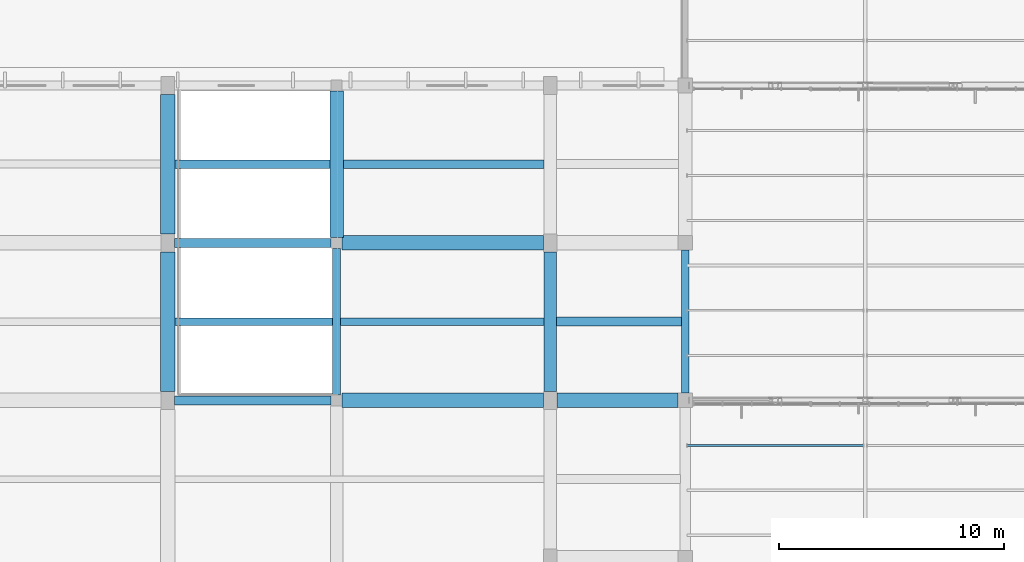
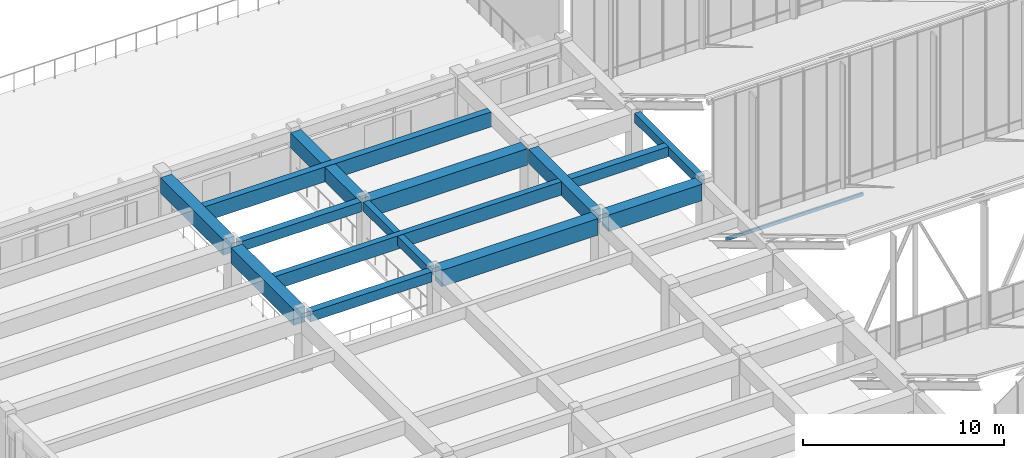
# One storey, part 61 of 155: 14 beams, 1 member.
"""IFC4 building model written with IfcOpenShell, lengths in metres."""

import ifcopenshell
import ifcopenshell.guid

model = None  # the IFC model being written
_history = None  # IfcOwnerHistory: only IFC2X3 demands one
_inside = {}  # id of a spatial element -> (the spatial element, [elements in it])
_under = {}  # id of a project, library or spatial element -> (it, [spatial elements below it])
_declared = {}  # id of a project -> (the project, [libraries it declares])
_typed = {}  # id of a type object -> (the type object, [elements of that type])
_made_of = {}  # id of a material, layer set ... -> (it, [elements and type objects made of it])


def new_model(schema):
    """Start an empty IFC model of exactly this schema.

    Asked for "IFC4X3", IfcOpenShell would pick the latest addendum, in which some entities
    have other attributes; the version numbers below select the first issue.
    IFC2X3 requires an IfcOwnerHistory on every rooted entity: one is made here for all.
    """
    global model, _history
    if schema == "IFC4X3":
        model = ifcopenshell.file(schema_version=(4, 3, 0, 0))
    else:
        model = ifcopenshell.file(schema=schema)
    _inside.clear()
    _under.clear()
    _declared.clear()
    _typed.clear()
    _made_of.clear()
    _history = None
    if model.schema == "IFC2X3":
        org = make("IfcOrganization", Name="unknown")
        user = make(
            "IfcPersonAndOrganization",
            ThePerson=make("IfcPerson", FamilyName="unknown"),
            TheOrganization=org,
        )
        app = make(
            "IfcApplication",
            ApplicationDeveloper=org,
            Version="unknown",
            ApplicationFullName="unknown",
            ApplicationIdentifier="unknown",
        )
        _history = make(
            "IfcOwnerHistory",
            OwningUser=user,
            OwningApplication=app,
            ChangeAction="ADDED",
            CreationDate=0,
        )
    return model


def make(cls, **values):
    """One entity of the class cls with the attributes given. An attribute that is None is left unset."""
    return model.create_entity(
        cls, **{name: value for name, value in values.items() if value is not None}
    )


def rooted(cls, **values):
    """An entity with a GlobalId (a new one), such as an element, a storey or a relation."""
    return make(cls, GlobalId=ifcopenshell.guid.new(), OwnerHistory=_history, **values)


def si_unit(unit_type, name, prefix=None):
    """IfcSIUnit, for example si_unit("LENGTHUNIT", "METRE", prefix="MILLI")."""
    return make("IfcSIUnit", UnitType=unit_type, Prefix=prefix, Name=name)


def assignment(units):
    """IfcUnitAssignment: the units of a project."""
    return None if units is None else make("IfcUnitAssignment", Units=units)


def point(xyz):
    """IfcCartesianPoint."""
    return None if xyz is None else make("IfcCartesianPoint", Coordinates=xyz)


def direction(xyz):
    """IfcDirection."""
    return None if xyz is None else make("IfcDirection", DirectionRatios=xyz)


def frame(location, z_axis=None, x_axis=None):
    """IfcAxis2Placement3D, a coordinate frame: its origin and axes. An axis left out is left unset."""
    return make(
        "IfcAxis2Placement3D",
        Location=point(location),
        Axis=direction(z_axis),
        RefDirection=direction(x_axis),
    )


def frame_2d(location, x_axis=None):
    """IfcAxis2Placement2D, a coordinate frame in the plane: its origin and x axis."""
    return make(
        "IfcAxis2Placement2D", Location=point(location), RefDirection=direction(x_axis)
    )


def origin():
    """The frame at (0, 0, 0) with its axes left unset."""
    return frame((0.0, 0.0, 0.0))


def origin_2d():
    """The frame at (0, 0) in the plane with its x axis left unset."""
    return frame_2d((0.0, 0.0))


def place(relative_to, where):
    """IfcLocalPlacement: puts the frame where relative to a parent placement (None: the world)."""
    return make(
        "IfcLocalPlacement", PlacementRelTo=relative_to, RelativePlacement=where
    )


def context(
    kind, dimensions, precision=None, world=None, true_north=None, identifier=None
):
    """IfcGeometricRepresentationContext, for example the 3D "Model" context."""
    return make(
        "IfcGeometricRepresentationContext",
        ContextIdentifier=identifier,
        ContextType=kind,
        CoordinateSpaceDimension=dimensions,
        Precision=precision,
        WorldCoordinateSystem=world,
        TrueNorth=true_north,
    )


def subcontext(parent, identifier, kind, view, scale=None):
    """IfcGeometricRepresentationSubContext, for example "Body" below "Model"."""
    return make(
        "IfcGeometricRepresentationSubContext",
        ContextIdentifier=identifier,
        ContextType=kind,
        ParentContext=parent,
        TargetScale=scale,
        TargetView=view,
    )


def project(units=None, contexts=None):
    """IfcProject with its units and contexts."""
    return rooted(
        "IfcProject",
        Name="project",
        RepresentationContexts=contexts,
        UnitsInContext=assignment(units),
    )


def spatial(cls, under=None, at=None, **own):
    """A site, building, storey or space (cls), placed at a placement, below another one or the project."""
    s = rooted(cls, ObjectPlacement=at, **own)
    if under is not None:
        _under.setdefault(under.id(), (under, []))[1].append(s)
    return s


def profile(cls, at=None, kind="AREA", **sizes):
    """A parametric profile (cls). Its sizes go by their IFC names, for example OverallWidth=200.0."""
    return make(cls, ProfileType=kind, Position=at, **sizes)


def rectangle(**sizes):
    """IfcRectangleProfileDef."""
    return profile("IfcRectangleProfileDef", **sizes)


def hollow_rectangle(**sizes):
    """IfcRectangleHollowProfileDef."""
    return profile("IfcRectangleHollowProfileDef", **sizes)


def extrude(swept, where, along, depth):
    """IfcExtrudedAreaSolid: the profile swept, set in the frame where, extruded along a direction by depth."""
    return make(
        "IfcExtrudedAreaSolid",
        SweptArea=swept,
        Position=where,
        ExtrudedDirection=direction(along),
        Depth=depth,
    )


def shape(context_of_items, identifier, shape_type, items):
    """IfcShapeRepresentation: the items that make up one representation, for example the "Body"."""
    return make(
        "IfcShapeRepresentation",
        ContextOfItems=context_of_items,
        RepresentationIdentifier=identifier,
        RepresentationType=shape_type,
        Items=items,
    )


def material(Name=None, Category=None):
    """IfcMaterial."""
    return make("IfcMaterial", Name=Name, Category=Category)


def material_profile(
    of_material, cross_section, Name=None, Category=None, Priority=None
):
    """IfcMaterialProfile: a cross section and its material."""
    return make(
        "IfcMaterialProfile",
        Name=Name,
        Material=of_material,
        Profile=cross_section,
        Priority=Priority,
        Category=Category,
    )


def profile_set(profiles, Name=None, composite=None):
    """IfcMaterialProfileSet."""
    return make(
        "IfcMaterialProfileSet",
        Name=Name,
        MaterialProfiles=profiles,
        CompositeProfile=composite,
    )


def made_of(thing, what):
    """Note that an element or type object is made of a material, layer set ...; save() writes the relation."""
    if what is not None:
        _made_of.setdefault(what.id(), (what, []))[1].append(thing)
    return thing


def type_object(cls, material=None, **own):
    """A type object (cls), such as IfcWallType, which elements share."""
    return made_of(rooted(cls, **own), material)


def element(
    cls,
    number,
    at=None,
    inside=None,
    cuts=None,
    type_object=None,
    material=None,
    context=None,
    identifier="Body",
    shape_type=None,
    held_by="IfcProductDefinitionShape",
    body=None,
    shapes=None,
    **own,
):
    """One element of the class cls, such as IfcWall. Its Tag is "e" and its number.

    at: its placement. inside: the storey or other place that contains it. cuts: it is an
    opening in that element (IfcRelVoidsElement). A single representation is given by context,
    identifier, shape_type and body (its items); several are given by shapes. held_by: the class
    of the entity that holds the representations. save() writes the other relations.
    """
    e = rooted(cls, Tag="e%d" % number, ObjectPlacement=at, **own)
    if body is not None:
        shapes = [shape(context, identifier, shape_type, body)]
    if shapes is not None:
        e.Representation = make(held_by, Representations=shapes)
    if inside is not None:
        _inside.setdefault(inside.id(), (inside, []))[1].append(e)
    if cuts is not None:
        rooted(
            "IfcRelVoidsElement", RelatingBuildingElement=cuts, RelatedOpeningElement=e
        )
    if type_object is not None:
        _typed.setdefault(type_object.id(), (type_object, []))[1].append(e)
    return made_of(e, material)


def aggregate(whole, parts):
    """IfcRelAggregates: a whole, such as a stair, and the parts it consists of."""
    return rooted("IfcRelAggregates", RelatingObject=whole, RelatedObjects=parts)


def save(model, path):
    """Write the relations noted so far, then the file.

    IfcRelAggregates (storeys below a building ...), IfcRelContainedInSpatialStructure (elements
    in a storey), IfcRelDefinesByType, IfcRelAssociatesMaterial and IfcRelDeclares: one each for
    every whole, place, type object, material and project.
    """
    for whole, parts in _under.values():
        aggregate(whole, parts)
    for where, things in _inside.values():
        rooted(
            "IfcRelContainedInSpatialStructure",
            RelatedElements=things,
            RelatingStructure=where,
        )
    for kind, things in _typed.values():
        rooted("IfcRelDefinesByType", RelatedObjects=things, RelatingType=kind)
    for what, things in _made_of.values():
        rooted("IfcRelAssociatesMaterial", RelatedObjects=things, RelatingMaterial=what)
    for by, libraries in _declared.values():
        rooted("IfcRelDeclares", RelatingContext=by, RelatedDefinitions=libraries)
    model.write(path)


model = new_model("IFC4")

# Units and contexts
model_context = context("Model", 3, precision=1e-05, world=origin(), true_north=direction((0.0, 1.0)))
body_context = subcontext(model_context, "Body", "Model", "MODEL_VIEW")
ifc_project = project(units=[si_unit("LENGTHUNIT", "METRE"), si_unit("AREAUNIT", "SQUARE_METRE"), si_unit("VOLUMEUNIT", "CUBIC_METRE"), si_unit("PLANEANGLEUNIT", "RADIAN"), si_unit("MASSUNIT", "GRAM", prefix="KILO")], contexts=[model_context])

# Site, building, storey
site_placement = place(None, origin())
site = spatial("IfcSite", under=ifc_project, at=site_placement, CompositionType="ELEMENT")
building_placement = place(site_placement, origin())
building = spatial("IfcBuilding", under=site, at=building_placement, Name="Larkveld Mobility Hub", CompositionType="ELEMENT")
storey_placement = place(building_placement, frame((0.0, 0.0, 8.39990234375)))
storey = spatial("IfcBuildingStorey", under=building, at=storey_placement, Name="L02", CompositionType="ELEMENT", Elevation=8.39990234375)

# Beams
ifc_material_1 = material(Name="Precast concrete C50/60", Category="concrete")
ifc_material_profile_1 = material_profile(ifc_material_1, rectangle(XDim=0.340087890625, YDim=0.800048828125, at=origin_2d()), Name="PC DT 340x800")
ifc_profile_set_1 = profile_set([ifc_material_profile_1], Name="Precast concrete C50/60")
beam_type_1 = type_object("IfcBeamType", Name="BM-DT3480", PredefinedType="T_BEAM", material=ifc_profile_set_1)
beam_1_placement = place(storey_placement, frame((129.320068359375, 101.5, 2.97021484375), z_axis=(1.0, 0.0, 0.0), x_axis=(0.0, 1.0, 0.0)))
element("IfcBeam", 1, at=beam_1_placement, inside=storey, type_object=beam_type_1, Name="Precast Double-Tee Stem L02-1104", PredefinedType="T_BEAM", context=body_context, shape_type="SweptSolid", body=[
    extrude(rectangle(XDim=0.340087890625, YDim=0.800048828125, at=origin_2d()), origin(), (0.0, 0.0, 1.0), 16.409912109375),
])
ifc_material_profile_2 = material_profile(ifc_material_1, rectangle(XDim=0.3798828125, YDim=0.89990234375, at=origin_2d()), Name="PC DT 380x900")
ifc_profile_set_2 = profile_set([ifc_material_profile_2], Name="Precast concrete C50/60")
beam_type_2 = type_object("IfcBeamType", Name="BM-DT3890", PredefinedType="T_BEAM", material=ifc_profile_set_2)
beam_2_placement = place(storey_placement, frame((129.320068359375, 108.5, 2.920166015625), z_axis=(1.0, 0.0, 0.0), x_axis=(0.0, 1.0, 0.0)))
element("IfcBeam", 2, at=beam_2_placement, inside=storey, type_object=beam_type_2, Name="Precast Double-Tee Stem L02-1107", PredefinedType="T_BEAM", context=body_context, shape_type="SweptSolid", body=[
    extrude(rectangle(XDim=0.3798828125, YDim=0.89990234375, at=origin_2d()), origin(), (0.0, 0.0, 1.0), 16.409912109375),
])
ifc_material_profile_3 = material_profile(ifc_material_1, rectangle(XDim=0.64990234375, YDim=0.949951171875, at=origin_2d()), Name="PC ITB 650x950")
ifc_profile_set_3 = profile_set([ifc_material_profile_3], Name="Precast concrete C50/60")
beam_type_3 = type_object("IfcBeamType", Name="BM-ITB6595", PredefinedType="T_BEAM", material=ifc_profile_set_3)
for number, where, z_axis, x_axis, name in (
    (3, (129.0, 98.39990234375, 2.885009765625), (0.0, 1.0, 0.0), (-1.0, 0.0, 0.0), "Primary N-S Girder L02-0650"),
    (4, (129.0, 105.39990234375, 2.885009765625), (0.0, 1.0, 0.0), (-1.0, 0.0, 0.0), "Primary N-S Girder L02-0651"),
):
    element("IfcBeam", number, at=place(storey_placement, frame(where, z_axis=z_axis, x_axis=x_axis)), inside=storey, type_object=beam_type_3, Name=name, PredefinedType="T_BEAM", context=body_context, shape_type="SweptSolid", body=[
        extrude(rectangle(XDim=0.64990234375, YDim=0.949951171875, at=origin_2d()), origin(), (0.0, 0.0, 1.0), 6.2001953125),
    ])
ifc_material_2 = material(Name="Concrete C40/50", Category="concrete")
ifc_material_profile_4 = material_profile(ifc_material_2, rectangle(XDim=0.35009765625, YDim=0.550048828125, at=origin_2d()), Name="RC BM 350x550")
ifc_profile_set_4 = profile_set([ifc_material_profile_4], Name="Concrete C40/50")
beam_type_4 = type_object("IfcBeamType", Name="BM-RC3555", PredefinedType="BEAM", material=ifc_profile_set_4)
beam_3_placement = place(storey_placement, frame((136.5, 98.25, 3.085205078125), z_axis=(0.0, 1.0, 0.0), x_axis=(-1.0, 0.0, 0.0)))
element("IfcBeam", 5, at=beam_3_placement, inside=storey, type_object=beam_type_4, Name="Primary N-S Girder L02-0658", PredefinedType="BEAM", context=body_context, shape_type="SweptSolid", body=[
    extrude(rectangle(XDim=0.35009765625, YDim=0.550048828125, at=origin_2d()), origin(), (0.0, 0.0, 1.0), 6.5),
])
beam_4_placement = place(storey_placement, frame((152.0, 98.324951171875, 3.085205078125), z_axis=(0.0, 1.0, 0.0), x_axis=(-1.0, 0.0, 0.0)))
element("IfcBeam", 6, at=beam_4_placement, inside=storey, type_object=beam_type_4, Name="Primary N-S Girder L02-0684", PredefinedType="BEAM", context=body_context, shape_type="SweptSolid", body=[
    extrude(rectangle(XDim=0.35009765625, YDim=0.550048828125, at=origin_2d()), origin(), (0.0, 0.0, 1.0), 6.35009765625),
])
ifc_material_profile_5 = material_profile(ifc_material_2, rectangle(XDim=0.39990234375, YDim=0.60009765625, at=origin_2d()), Name="RC BM 400x600")
ifc_profile_set_5 = profile_set([ifc_material_profile_5], Name="Concrete C40/50")
beam_type_5 = type_object("IfcBeamType", Name="BM-RC4060", PredefinedType="BEAM", material=ifc_profile_set_5)
for number, where, z_axis, x_axis, name in (
    (7, (129.300048828125, 98.0, 3.06005859375), (1.0, 0.0, 0.0), (0.0, 1.0, 0.0), "Primary E-W Girder L02-0549"),
    (8, (129.300048828125, 105.0, 3.06005859375), (1.0, 0.0, 0.0), (0.0, 1.0, 0.0), "Primary E-W Girder L02-0553"),
):
    element("IfcBeam", number, at=place(storey_placement, frame(where, z_axis=z_axis, x_axis=x_axis)), inside=storey, type_object=beam_type_5, Name=name, PredefinedType="BEAM", context=body_context, shape_type="SweptSolid", body=[
        extrude(rectangle(XDim=0.39990234375, YDim=0.60009765625, at=origin_2d()), origin(), (0.0, 0.0, 1.0), 6.949951171875),
    ])
beam_5_placement = place(storey_placement, frame((146.27001953125, 101.5, 3.070068359375), z_axis=(1.0, 0.0, 0.0), x_axis=(0.0, 1.0, 0.0)))
element("IfcBeam", 9, at=beam_5_placement, inside=storey, type_object=beam_type_5, Name="Concourse Spine Joist L02-1105", PredefinedType="BEAM", context=body_context, shape_type="SweptSolid", body=[
    extrude(rectangle(XDim=0.39990234375, YDim=0.60009765625, at=origin_2d()), origin(), (0.0, 0.0, 1.0), 5.56005859375),
])
ifc_material_profile_6 = material_profile(ifc_material_2, rectangle(XDim=0.550048828125, YDim=0.85009765625, at=origin_2d()), Name="RC BM 550x850")
ifc_profile_set_6 = profile_set([ifc_material_profile_6], Name="Concrete C40/50")
beam_type_6 = type_object("IfcBeamType", Name="BM-RC5585", PredefinedType="BEAM", material=ifc_profile_set_6)
beam_6_placement = place(storey_placement, frame((146.0, 98.39990234375, 2.93505859375), z_axis=(0.0, 1.0, 0.0), x_axis=(-1.0, 0.0, 0.0)))
element("IfcBeam", 10, at=beam_6_placement, inside=storey, type_object=beam_type_6, Name="Primary N-S Girder L02-0669", PredefinedType="BEAM", context=body_context, shape_type="SweptSolid", body=[
    extrude(rectangle(XDim=0.550048828125, YDim=0.85009765625, at=origin_2d()), origin(), (0.0, 0.0, 1.0), 6.2001953125),
])
ifc_material_profile_7 = material_profile(ifc_material_2, rectangle(XDim=0.60009765625, YDim=0.89990234375, at=origin_2d()), Name="RC BM 600x900")
ifc_profile_set_7 = profile_set([ifc_material_profile_7], Name="Concrete C40/50")
beam_type_7 = type_object("IfcBeamType", Name="BM-RC6090", PredefinedType="BEAM", material=ifc_profile_set_7)
beam_7_placement = place(storey_placement, frame((136.5, 105.25, 2.91015625), z_axis=(0.0, 1.0, 0.0), x_axis=(-1.0, 0.0, 0.0)))
element("IfcBeam", 11, at=beam_7_placement, inside=storey, type_object=beam_type_7, Name="Primary N-S Girder L02-0659", PredefinedType="BEAM", context=body_context, shape_type="SweptSolid", body=[
    extrude(rectangle(XDim=0.60009765625, YDim=0.89990234375, at=origin_2d()), origin(), (0.0, 0.0, 1.0), 6.5),
])
ifc_material_profile_8 = material_profile(ifc_material_2, rectangle(XDim=0.64990234375, YDim=1.0, at=origin_2d()), Name="RC BM 650x1000")
ifc_profile_set_8 = profile_set([ifc_material_profile_8], Name="Concrete C40/50")
beam_type_8 = type_object("IfcBeamType", Name="BM-RC65100", PredefinedType="BEAM", material=ifc_profile_set_8)
beam_8_placement = place(storey_placement, frame((136.75, 98.0, 2.860107421875), z_axis=(1.0, 0.0, 0.0), x_axis=(0.0, 1.0, 0.0)))
element("IfcBeam", 12, at=beam_8_placement, inside=storey, type_object=beam_type_8, Name="Primary E-W Girder L02-0550", PredefinedType="BEAM", context=body_context, shape_type="SweptSolid", body=[
    extrude(rectangle(XDim=0.64990234375, YDim=1.0, at=origin_2d()), origin(), (0.0, 0.0, 1.0), 8.949951171875),
])
beam_9_placement = place(storey_placement, frame((146.300048828125, 98.0, 2.860107421875), z_axis=(1.0, 0.0, 0.0), x_axis=(0.0, 1.0, 0.0)))
element("IfcBeam", 13, at=beam_9_placement, inside=storey, type_object=beam_type_8, Name="Primary E-W Girder L02-0551", PredefinedType="BEAM", context=body_context, shape_type="SweptSolid", body=[
    extrude(rectangle(XDim=0.64990234375, YDim=1.0, at=origin_2d()), origin(), (0.0, 0.0, 1.0), 5.375),
])
beam_10_placement = place(storey_placement, frame((136.75, 105.0, 2.860107421875), z_axis=(1.0, 0.0, 0.0), x_axis=(0.0, 1.0, 0.0)))
element("IfcBeam", 14, at=beam_10_placement, inside=storey, type_object=beam_type_8, Name="Primary E-W Girder L02-0554", PredefinedType="BEAM", context=body_context, shape_type="SweptSolid", body=[
    extrude(rectangle(XDim=0.64990234375, YDim=1.0, at=origin_2d()), origin(), (0.0, 0.0, 1.0), 8.949951171875),
])

# Member
ifc_material_3 = material(Name="Steel S355JR", Category="steel")
ifc_material_profile_9 = material_profile(ifc_material_3, hollow_rectangle(XDim=0.10009765625, YDim=0.199951171875, WallThickness=0.008056640625, at=origin_2d()), Name="RHS 200x100x8")
ifc_profile_set_9 = profile_set([ifc_material_profile_9], Name="Steel S355JR")
member_type = type_object("IfcMemberType", Name="MB-PR-RHS200", PredefinedType="PURLIN", material=ifc_profile_set_9)
member_placement = place(storey_placement, frame((152.080078125, 96.0, 0.906982421875), z_axis=(1.0, 0.0, 0.0), x_axis=(0.0, 1.0, 0.0)))
element("IfcMember", 15, at=member_placement, inside=storey, type_object=member_type, Name="Sawtooth Roof Purlin B5-6.1", PredefinedType="PURLIN", context=body_context, shape_type="SweptSolid", body=[
    extrude(hollow_rectangle(XDim=0.10009765625, YDim=0.199951171875, WallThickness=0.008056640625, at=origin_2d()), origin(), (0.0, 0.0, 1.0), 7.83984375),
])

save(model, "model.ifc")
